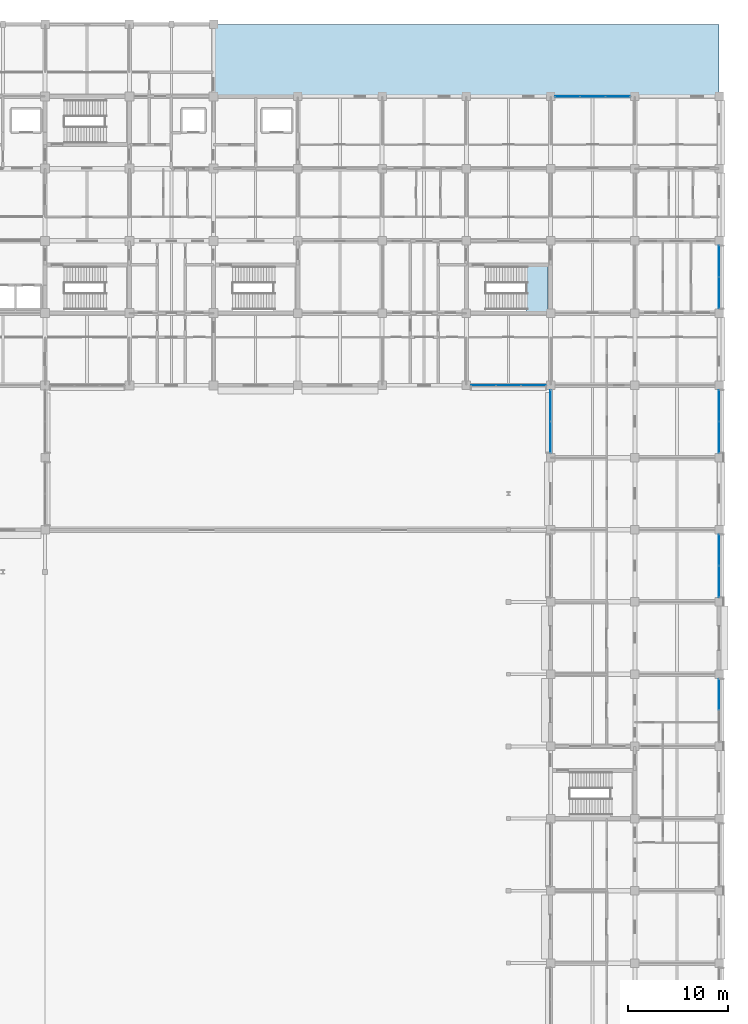
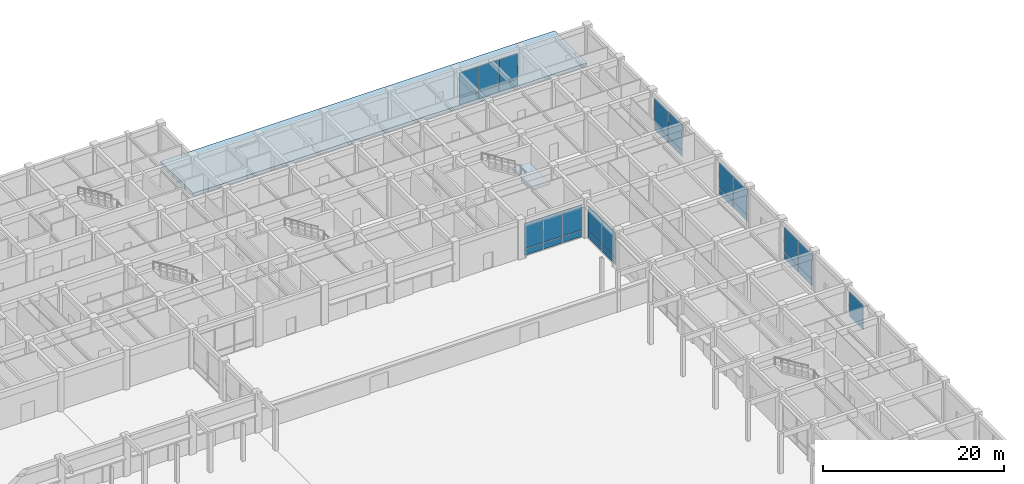
# One storey, part 36 of 73: 29 plates, 2 slabs, 8 elements without a shape of their own.
"""IFC4 building model written with IfcOpenShell, lengths in metres."""

from ifc_helpers import new_model, si_unit, direction, frame, origin, origin_2d, place, context, subcontext, project, spatial, polyline, rectangle, outline, extrude, material, layer, layer_set, type_object, element, aggregate, save


model = new_model("IFC4")

# Units and contexts
model_context = context("Model", 3, precision=1e-05, world=origin(), true_north=direction((0.0, 1.0)))
body_context = subcontext(model_context, "Body", "Model", "MODEL_VIEW")
ifc_project = project(units=[si_unit("LENGTHUNIT", "METRE"), si_unit("AREAUNIT", "SQUARE_METRE"), si_unit("VOLUMEUNIT", "CUBIC_METRE"), si_unit("PLANEANGLEUNIT", "RADIAN"), si_unit("MASSUNIT", "GRAM", prefix="KILO")], contexts=[model_context])

# Site, building, storey
site_placement = place(None, origin())
site = spatial("IfcSite", under=ifc_project, at=site_placement, CompositionType="ELEMENT")
building_placement = place(site_placement, origin())
building = spatial("IfcBuilding", under=site, at=building_placement, Name="Chengyuan Square Courthouse", CompositionType="ELEMENT")
storey_placement = place(building_placement, origin())
storey = spatial("IfcBuildingStorey", under=building, at=storey_placement, Name="L01", CompositionType="ELEMENT", Elevation=0.0)

# Curtain wall, plates
ifc_material_1 = material(Name="Unitised Aluminium and Triple Low-E Glass", Category="aluminium")
ifc_layer_1 = layer(ifc_material_1, 0.159912109375)
ifc_layer_set_1 = layer_set([ifc_layer_1], Name="Unitised Aluminium and Triple Low-E Glass")
curtain_wall_type_1 = type_object("IfcCurtainWallType", Name="CW-01", PredefinedType="USERDEFINED", material=ifc_layer_set_1)
curtain_wall_1_placement = place(storey_placement, origin())
curtain_wall_1 = element("IfcCurtainWall", 1, at=curtain_wall_1_placement, inside=storey, type_object=curtain_wall_type_1, Name="Unitised Curtain Wall CW-L01-027", ObjectType="UNITISED CURTAIN WALL", PredefinedType="USERDEFINED")
ifc_material_2 = material(Name="Triple Low-E Insulating Glass", Category="glass")
ifc_layer_2 = layer(ifc_material_2, 0.02392578125)
ifc_layer_set_2 = layer_set([ifc_layer_2], Name="Triple Low-E Insulating Glass")
plate_type_1 = type_object("IfcPlateType", Name="CWP-01", PredefinedType="CURTAIN_PANEL", material=ifc_layer_set_2)
plate_1_placement = place(storey_placement, frame((144.498291015625, 79.199951171875, 0.06005859375), z_axis=(0.0, 0.0, 1.0), x_axis=(1.0, 0.0, 0.0)))
plate_1 = element("IfcPlate", 2, at=plate_1_placement, type_object=plate_type_1, Name="CW-01 panel 1.1", PredefinedType="CURTAIN_PANEL", context=body_context, shape_type="SweptSolid", body=[
    extrude(rectangle(XDim=2.4267578125, YDim=0.02392578125, at=origin_2d()), origin(), (0.0, 0.0, 1.0), 0.860107421875),
])
plate_2_placement = place(storey_placement, frame((144.498291015625, 79.199951171875, 0.97998046875), z_axis=(0.0, 0.0, 1.0), x_axis=(1.0, 0.0, 0.0)))
plate_2 = element("IfcPlate", 3, at=plate_2_placement, type_object=plate_type_1, Name="CW-01 panel 1.2", PredefinedType="CURTAIN_PANEL", context=body_context, shape_type="SweptSolid", body=[
    extrude(rectangle(XDim=2.4267578125, YDim=0.02392578125, at=origin_2d()), origin(), (0.0, 0.0, 1.0), 3.429931640625),
])
plate_3_placement = place(storey_placement, frame((147.0, 79.199951171875, 0.06005859375), z_axis=(0.0, 0.0, 1.0), x_axis=(1.0, 0.0, 0.0)))
plate_3 = element("IfcPlate", 4, at=plate_3_placement, type_object=plate_type_1, Name="CW-01 panel 2.1", PredefinedType="CURTAIN_PANEL", context=body_context, shape_type="SweptSolid", body=[
    extrude(rectangle(XDim=2.456787109375, YDim=0.02392578125, at=origin_2d()), origin(), (0.0, 0.0, 1.0), 0.860107421875),
])
plate_4_placement = place(storey_placement, frame((147.0, 79.199951171875, 0.97998046875), z_axis=(0.0, 0.0, 1.0), x_axis=(1.0, 0.0, 0.0)))
plate_4 = element("IfcPlate", 5, at=plate_4_placement, type_object=plate_type_1, Name="CW-01 panel 2.2", PredefinedType="CURTAIN_PANEL", context=body_context, shape_type="SweptSolid", body=[
    extrude(rectangle(XDim=2.456787109375, YDim=0.02392578125, at=origin_2d()), origin(), (0.0, 0.0, 1.0), 3.429931640625),
])
plate_5_placement = place(storey_placement, frame((149.501708984375, 79.199951171875, 0.06005859375), z_axis=(0.0, 0.0, 1.0), x_axis=(1.0, 0.0, 0.0)))
plate_5 = element("IfcPlate", 6, at=plate_5_placement, type_object=plate_type_1, Name="CW-01 panel 3.1", PredefinedType="CURTAIN_PANEL", context=body_context, shape_type="SweptSolid", body=[
    extrude(rectangle(XDim=2.4267578125, YDim=0.02392578125, at=origin_2d()), origin(), (0.0, 0.0, 1.0), 0.860107421875),
])
plate_6_placement = place(storey_placement, frame((149.501708984375, 79.199951171875, 0.97998046875), z_axis=(0.0, 0.0, 1.0), x_axis=(1.0, 0.0, 0.0)))
plate_6 = element("IfcPlate", 7, at=plate_6_placement, type_object=plate_type_1, Name="CW-01 panel 3.2", PredefinedType="CURTAIN_PANEL", context=body_context, shape_type="SweptSolid", body=[
    extrude(rectangle(XDim=2.4267578125, YDim=0.02392578125, at=origin_2d()), origin(), (0.0, 0.0, 1.0), 3.429931640625),
])
aggregate(curtain_wall_1, [plate_1, plate_2, plate_3, plate_4, plate_5, plate_6])

curtain_wall_2_placement = place(storey_placement, origin())
curtain_wall_2 = element("IfcCurtainWall", 8, at=curtain_wall_2_placement, inside=storey, type_object=curtain_wall_type_1, Name="Unitised Curtain Wall CW-L01-034", ObjectType="UNITISED CURTAIN WALL", PredefinedType="USERDEFINED")
plate_7_placement = place(storey_placement, frame((152.8984375, 108.0, 0.06005859375), z_axis=(0.0, 0.0, 1.0), x_axis=(1.0, 0.0, 0.0)))
plate_7 = element("IfcPlate", 9, at=plate_7_placement, type_object=plate_type_1, Name="CW-01 panel 1.1", PredefinedType="CURTAIN_PANEL", context=body_context, shape_type="SweptSolid", body=[
    extrude(rectangle(XDim=2.4267578125, YDim=0.02392578125, at=origin_2d()), origin(), (0.0, 0.0, 1.0), 0.860107421875),
])
plate_8_placement = place(storey_placement, frame((152.8984375, 108.0, 0.97998046875), z_axis=(0.0, 0.0, 1.0), x_axis=(1.0, 0.0, 0.0)))
plate_8 = element("IfcPlate", 10, at=plate_8_placement, type_object=plate_type_1, Name="CW-01 panel 1.2", PredefinedType="CURTAIN_PANEL", context=body_context, shape_type="SweptSolid", body=[
    extrude(rectangle(XDim=2.4267578125, YDim=0.02392578125, at=origin_2d()), origin(), (0.0, 0.0, 1.0), 3.429931640625),
])
plate_9_placement = place(storey_placement, frame((155.39990234375, 108.0, 0.06005859375), z_axis=(0.0, 0.0, 1.0), x_axis=(1.0, 0.0, 0.0)))
plate_9 = element("IfcPlate", 11, at=plate_9_placement, type_object=plate_type_1, Name="CW-01 panel 2.1", PredefinedType="CURTAIN_PANEL", context=body_context, shape_type="SweptSolid", body=[
    extrude(rectangle(XDim=2.456787109375, YDim=0.02392578125, at=origin_2d()), origin(), (0.0, 0.0, 1.0), 0.860107421875),
])
plate_10_placement = place(storey_placement, frame((155.39990234375, 108.0, 0.97998046875), z_axis=(0.0, 0.0, 1.0), x_axis=(1.0, 0.0, 0.0)))
plate_10 = element("IfcPlate", 12, at=plate_10_placement, type_object=plate_type_1, Name="CW-01 panel 2.2", PredefinedType="CURTAIN_PANEL", context=body_context, shape_type="SweptSolid", body=[
    extrude(rectangle(XDim=2.456787109375, YDim=0.02392578125, at=origin_2d()), origin(), (0.0, 0.0, 1.0), 3.429931640625),
])
plate_11_placement = place(storey_placement, frame((157.901611328125, 108.0, 0.06005859375), z_axis=(0.0, 0.0, 1.0), x_axis=(1.0, 0.0, 0.0)))
plate_11 = element("IfcPlate", 13, at=plate_11_placement, type_object=plate_type_1, Name="CW-01 panel 3.1", PredefinedType="CURTAIN_PANEL", context=body_context, shape_type="SweptSolid", body=[
    extrude(rectangle(XDim=2.4267578125, YDim=0.02392578125, at=origin_2d()), origin(), (0.0, 0.0, 1.0), 0.860107421875),
])
plate_12_placement = place(storey_placement, frame((157.901611328125, 108.0, 0.97998046875), z_axis=(0.0, 0.0, 1.0), x_axis=(1.0, 0.0, 0.0)))
plate_12 = element("IfcPlate", 14, at=plate_12_placement, type_object=plate_type_1, Name="CW-01 panel 3.2", PredefinedType="CURTAIN_PANEL", context=body_context, shape_type="SweptSolid", body=[
    extrude(rectangle(XDim=2.4267578125, YDim=0.02392578125, at=origin_2d()), origin(), (0.0, 0.0, 1.0), 3.429931640625),
])
aggregate(curtain_wall_2, [plate_7, plate_8, plate_9, plate_10, plate_11, plate_12])

ifc_layer_3 = layer(ifc_material_1, 0.179931640625)
ifc_layer_set_3 = layer_set([ifc_layer_3], Name="Unitised Aluminium and Triple Low-E Glass")
curtain_wall_type_2 = type_object("IfcCurtainWallType", Name="CW-14", PredefinedType="USERDEFINED", material=ifc_layer_set_3)
curtain_wall_3_placement = place(storey_placement, origin())
curtain_wall_3 = element("IfcCurtainWall", 15, at=curtain_wall_3_placement, inside=storey, type_object=curtain_wall_type_2, Name="Unitised Curtain Wall CW-L01-033", ObjectType="UNITISED CURTAIN WALL", PredefinedType="USERDEFINED")
ifc_layer_4 = layer(ifc_material_2, 0.031982421875)
ifc_layer_set_4 = layer_set([ifc_layer_4], Name="Triple Low-E Insulating Glass")
plate_type_2 = type_object("IfcPlateType", Name="CWP-02", PredefinedType="CURTAIN_PANEL", material=ifc_layer_set_4)
plate_13_placement = place(storey_placement, frame((151.199951171875, 74.02880859375, 0.06494140625), z_axis=(0.0, 0.0, 1.0), x_axis=(0.0, 1.0, 0.0)))
plate_13 = element("IfcPlate", 16, at=plate_13_placement, type_object=plate_type_2, Name="CW-14 panel 1.1", PredefinedType="CURTAIN_PANEL", context=body_context, shape_type="SweptSolid", body=[
    extrude(rectangle(XDim=3.077392578125, YDim=0.031982421875, at=origin_2d()), origin(), (0.0, 0.0, 1.0), 0.8525390625),
])
plate_14_placement = place(storey_placement, frame((151.199951171875, 74.02880859375, 0.982421875), z_axis=(0.0, 0.0, 1.0), x_axis=(0.0, 1.0, 0.0)))
plate_14 = element("IfcPlate", 17, at=plate_14_placement, type_object=plate_type_2, Name="CW-14 panel 1.2", PredefinedType="CURTAIN_PANEL", context=body_context, shape_type="SweptSolid", body=[
    extrude(rectangle(XDim=3.077392578125, YDim=0.031982421875, at=origin_2d()), origin(), (0.0, 0.0, 1.0), 3.422607421875),
])
plate_15_placement = place(storey_placement, frame((151.199951171875, 77.171142578125, 0.06494140625), z_axis=(0.0, 0.0, 1.0), x_axis=(0.0, 1.0, 0.0)))
plate_15 = element("IfcPlate", 18, at=plate_15_placement, type_object=plate_type_2, Name="CW-14 panel 2.1", PredefinedType="CURTAIN_PANEL", context=body_context, shape_type="SweptSolid", body=[
    extrude(rectangle(XDim=3.077392578125, YDim=0.031982421875, at=origin_2d()), origin(), (0.0, 0.0, 1.0), 0.8525390625),
])
plate_16_placement = place(storey_placement, frame((151.199951171875, 77.171142578125, 0.982421875), z_axis=(0.0, 0.0, 1.0), x_axis=(0.0, 1.0, 0.0)))
plate_16 = element("IfcPlate", 19, at=plate_16_placement, type_object=plate_type_2, Name="CW-14 panel 2.2", PredefinedType="CURTAIN_PANEL", context=body_context, shape_type="SweptSolid", body=[
    extrude(rectangle(XDim=3.077392578125, YDim=0.031982421875, at=origin_2d()), origin(), (0.0, 0.0, 1.0), 3.422607421875),
])
aggregate(curtain_wall_3, [plate_13, plate_14, plate_15, plate_16])

# Curtain wall, plate
curtain_wall_4_placement = place(storey_placement, origin())
curtain_wall_4 = element("IfcCurtainWall", 20, at=curtain_wall_4_placement, inside=storey, type_object=curtain_wall_type_2, Name="Unitised Curtain Wall CW-L01-039", ObjectType="UNITISED CURTAIN WALL", PredefinedType="USERDEFINED")
plate_17_placement = place(storey_placement, frame((168.0, 48.371337890625, 0.982421875), z_axis=(0.0, 0.0, 1.0), x_axis=(0.0, 1.0, 0.0)))
plate_17 = element("IfcPlate", 21, at=plate_17_placement, type_object=plate_type_2, Name="CW-14 panel 2.2", PredefinedType="CURTAIN_PANEL", context=body_context, shape_type="SweptSolid", body=[
    extrude(rectangle(XDim=3.077392578125, YDim=0.031982421875, at=origin_2d()), origin(), (0.0, 0.0, 1.0), 3.422607421875),
])
aggregate(curtain_wall_4, [plate_17])

# Curtain wall, plates
curtain_wall_5_placement = place(storey_placement, origin())
curtain_wall_5 = element("IfcCurtainWall", 22, at=curtain_wall_5_placement, inside=storey, type_object=curtain_wall_type_2, Name="Unitised Curtain Wall CW-L01-040", ObjectType="UNITISED CURTAIN WALL", PredefinedType="USERDEFINED")
plate_18_placement = place(storey_placement, frame((168.0, 59.628662109375, 0.06494140625), z_axis=(0.0, 0.0, 1.0), x_axis=(0.0, 1.0, 0.0)))
plate_18 = element("IfcPlate", 23, at=plate_18_placement, type_object=plate_type_2, Name="CW-14 panel 1.1", PredefinedType="CURTAIN_PANEL", context=body_context, shape_type="SweptSolid", body=[
    extrude(rectangle(XDim=3.077392578125, YDim=0.031982421875, at=origin_2d()), origin(), (0.0, 0.0, 1.0), 0.8525390625),
])
plate_19_placement = place(storey_placement, frame((168.0, 59.628662109375, 0.982421875), z_axis=(0.0, 0.0, 1.0), x_axis=(0.0, 1.0, 0.0)))
plate_19 = element("IfcPlate", 24, at=plate_19_placement, type_object=plate_type_2, Name="CW-14 panel 1.2", PredefinedType="CURTAIN_PANEL", context=body_context, shape_type="SweptSolid", body=[
    extrude(rectangle(XDim=3.077392578125, YDim=0.031982421875, at=origin_2d()), origin(), (0.0, 0.0, 1.0), 3.422607421875),
])
plate_20_placement = place(storey_placement, frame((168.0, 62.771240234375, 0.06494140625), z_axis=(0.0, 0.0, 1.0), x_axis=(0.0, 1.0, 0.0)))
plate_20 = element("IfcPlate", 25, at=plate_20_placement, type_object=plate_type_2, Name="CW-14 panel 2.1", PredefinedType="CURTAIN_PANEL", context=body_context, shape_type="SweptSolid", body=[
    extrude(rectangle(XDim=3.077392578125, YDim=0.031982421875, at=origin_2d()), origin(), (0.0, 0.0, 1.0), 0.8525390625),
])
plate_21_placement = place(storey_placement, frame((168.0, 62.771240234375, 0.982421875), z_axis=(0.0, 0.0, 1.0), x_axis=(0.0, 1.0, 0.0)))
plate_21 = element("IfcPlate", 26, at=plate_21_placement, type_object=plate_type_2, Name="CW-14 panel 2.2", PredefinedType="CURTAIN_PANEL", context=body_context, shape_type="SweptSolid", body=[
    extrude(rectangle(XDim=3.077392578125, YDim=0.031982421875, at=origin_2d()), origin(), (0.0, 0.0, 1.0), 3.422607421875),
])
aggregate(curtain_wall_5, [plate_18, plate_19, plate_20, plate_21])

curtain_wall_6_placement = place(storey_placement, origin())
curtain_wall_6 = element("IfcCurtainWall", 27, at=curtain_wall_6_placement, inside=storey, type_object=curtain_wall_type_2, Name="Unitised Curtain Wall CW-L01-041", ObjectType="UNITISED CURTAIN WALL", PredefinedType="USERDEFINED")
plate_22_placement = place(storey_placement, frame((168.0, 74.02880859375, 0.06494140625), z_axis=(0.0, 0.0, 1.0), x_axis=(0.0, 1.0, 0.0)))
plate_22 = element("IfcPlate", 28, at=plate_22_placement, type_object=plate_type_2, Name="CW-14 panel 1.1", PredefinedType="CURTAIN_PANEL", context=body_context, shape_type="SweptSolid", body=[
    extrude(rectangle(XDim=3.077392578125, YDim=0.031982421875, at=origin_2d()), origin(), (0.0, 0.0, 1.0), 0.8525390625),
])
plate_23_placement = place(storey_placement, frame((168.0, 74.02880859375, 0.982421875), z_axis=(0.0, 0.0, 1.0), x_axis=(0.0, 1.0, 0.0)))
plate_23 = element("IfcPlate", 29, at=plate_23_placement, type_object=plate_type_2, Name="CW-14 panel 1.2", PredefinedType="CURTAIN_PANEL", context=body_context, shape_type="SweptSolid", body=[
    extrude(rectangle(XDim=3.077392578125, YDim=0.031982421875, at=origin_2d()), origin(), (0.0, 0.0, 1.0), 3.422607421875),
])
plate_24_placement = place(storey_placement, frame((168.0, 77.171142578125, 0.06494140625), z_axis=(0.0, 0.0, 1.0), x_axis=(0.0, 1.0, 0.0)))
plate_24 = element("IfcPlate", 30, at=plate_24_placement, type_object=plate_type_2, Name="CW-14 panel 2.1", PredefinedType="CURTAIN_PANEL", context=body_context, shape_type="SweptSolid", body=[
    extrude(rectangle(XDim=3.077392578125, YDim=0.031982421875, at=origin_2d()), origin(), (0.0, 0.0, 1.0), 0.8525390625),
])
plate_25_placement = place(storey_placement, frame((168.0, 77.171142578125, 0.982421875), z_axis=(0.0, 0.0, 1.0), x_axis=(0.0, 1.0, 0.0)))
plate_25 = element("IfcPlate", 31, at=plate_25_placement, type_object=plate_type_2, Name="CW-14 panel 2.2", PredefinedType="CURTAIN_PANEL", context=body_context, shape_type="SweptSolid", body=[
    extrude(rectangle(XDim=3.077392578125, YDim=0.031982421875, at=origin_2d()), origin(), (0.0, 0.0, 1.0), 3.422607421875),
])
aggregate(curtain_wall_6, [plate_22, plate_23, plate_24, plate_25])

curtain_wall_7_placement = place(storey_placement, origin())
curtain_wall_7 = element("IfcCurtainWall", 32, at=curtain_wall_7_placement, inside=storey, type_object=curtain_wall_type_2, Name="Unitised Curtain Wall CW-L01-042", ObjectType="UNITISED CURTAIN WALL", PredefinedType="USERDEFINED")
plate_26_placement = place(storey_placement, frame((168.0, 88.4287109375, 0.06494140625), z_axis=(0.0, 0.0, 1.0), x_axis=(0.0, 1.0, 0.0)))
plate_26 = element("IfcPlate", 33, at=plate_26_placement, type_object=plate_type_2, Name="CW-14 panel 1.1", PredefinedType="CURTAIN_PANEL", context=body_context, shape_type="SweptSolid", body=[
    extrude(rectangle(XDim=3.077392578125, YDim=0.031982421875, at=origin_2d()), origin(), (0.0, 0.0, 1.0), 0.8525390625),
])
plate_27_placement = place(storey_placement, frame((168.0, 88.4287109375, 0.982421875), z_axis=(0.0, 0.0, 1.0), x_axis=(0.0, 1.0, 0.0)))
plate_27 = element("IfcPlate", 34, at=plate_27_placement, type_object=plate_type_2, Name="CW-14 panel 1.2", PredefinedType="CURTAIN_PANEL", context=body_context, shape_type="SweptSolid", body=[
    extrude(rectangle(XDim=3.077392578125, YDim=0.031982421875, at=origin_2d()), origin(), (0.0, 0.0, 1.0), 3.422607421875),
])
plate_28_placement = place(storey_placement, frame((168.0, 91.5712890625, 0.06494140625), z_axis=(0.0, 0.0, 1.0), x_axis=(0.0, 1.0, 0.0)))
plate_28 = element("IfcPlate", 35, at=plate_28_placement, type_object=plate_type_2, Name="CW-14 panel 2.1", PredefinedType="CURTAIN_PANEL", context=body_context, shape_type="SweptSolid", body=[
    extrude(rectangle(XDim=3.077392578125, YDim=0.031982421875, at=origin_2d()), origin(), (0.0, 0.0, 1.0), 0.8525390625),
])
plate_29_placement = place(storey_placement, frame((168.0, 91.5712890625, 0.982421875), z_axis=(0.0, 0.0, 1.0), x_axis=(0.0, 1.0, 0.0)))
plate_29 = element("IfcPlate", 36, at=plate_29_placement, type_object=plate_type_2, Name="CW-14 panel 2.2", PredefinedType="CURTAIN_PANEL", context=body_context, shape_type="SweptSolid", body=[
    extrude(rectangle(XDim=3.077392578125, YDim=0.031982421875, at=origin_2d()), origin(), (0.0, 0.0, 1.0), 3.422607421875),
])
aggregate(curtain_wall_7, [plate_26, plate_27, plate_28, plate_29])

# Slab
ifc_material_3 = material(Name="Concrete C40", Category="concrete")
ifc_layer_5 = layer(ifc_material_3, 0.419921875)
ifc_layer_set_5 = layer_set([ifc_layer_5], Name="Concrete C40")
slab_type_1 = type_object("IfcSlabType", Name="SL-APR", PredefinedType="ROOF", material=ifc_layer_set_5)
slab_1_placement = place(storey_placement, frame((0.0, 0.0, -0.419921875)))
element("IfcSlab", 37, at=slab_1_placement, inside=storey, type_object=slab_type_1, Name="Civic Forecourt and Service Apron Deck SL-FC-32", PredefinedType="ROOF", context=body_context, shape_type="SweptSolid", body=[
    extrude(outline(polyline([(142.800048828125, 115.199951171875), (151.199951171875, 115.199951171875), (159.60009765625, 115.199951171875), (168.0, 115.199951171875), (168.0, 108.0), (159.60009765625, 108.0), (151.199951171875, 108.0), (142.800048828125, 108.0), (134.39990234375, 108.0), (126.0, 108.0), (117.60009765625, 108.0), (117.60009765625, 115.199951171875), (126.0, 115.199951171875), (134.39990234375, 115.199951171875), (142.800048828125, 115.199951171875)])), origin(), (0.0, 0.0, 1.0), 0.419921875),
])

# Stair, slab
stair_type = type_object("IfcStairType", Name="ST-TYPE-10", PredefinedType="HALF_TURN_STAIR", material=ifc_material_3)
stair_placement = place(storey_placement, origin())
stair = element("IfcStair", 38, at=stair_placement, inside=storey, type_object=stair_type, Name="Smoke-Proof Exit Stair ST-10 (L01 to L02)", PredefinedType="HALF_TURN_STAIR")
ifc_layer_6 = layer(ifc_material_3, 0.18994140625)
ifc_layer_set_6 = layer_set([ifc_layer_6], Name="Concrete C40")
slab_type_2 = type_object("IfcSlabType", Name="SL-LND1", PredefinedType="LANDING", material=ifc_layer_set_6)
slab_2_placement = place(storey_placement, frame((0.0, 0.0, 2.510009765625)))
slab_2 = element("IfcSlab", 39, at=slab_2_placement, type_object=slab_type_2, Name="ST-10 landing 1", PredefinedType="LANDING", context=body_context, shape_type="SweptSolid", body=[
    extrude(outline(polyline([(148.72998046875, 86.56005859375), (150.93994140625, 86.56005859375), (150.93994140625, 91.239990234375), (148.72998046875, 91.239990234375), (148.72998046875, 86.56005859375)])), origin(), (0.0, 0.0, 1.0), 0.18994140625),
])
aggregate(stair, [slab_2])

save(model, "model.ifc")
